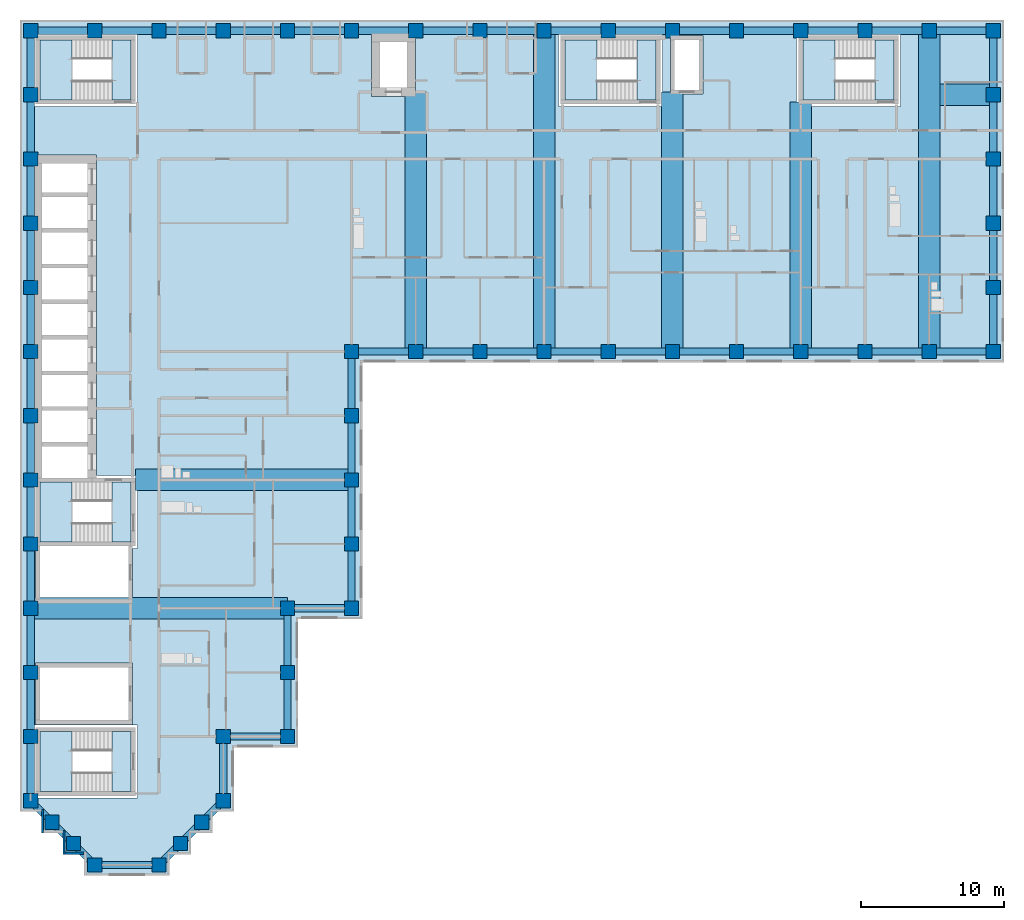
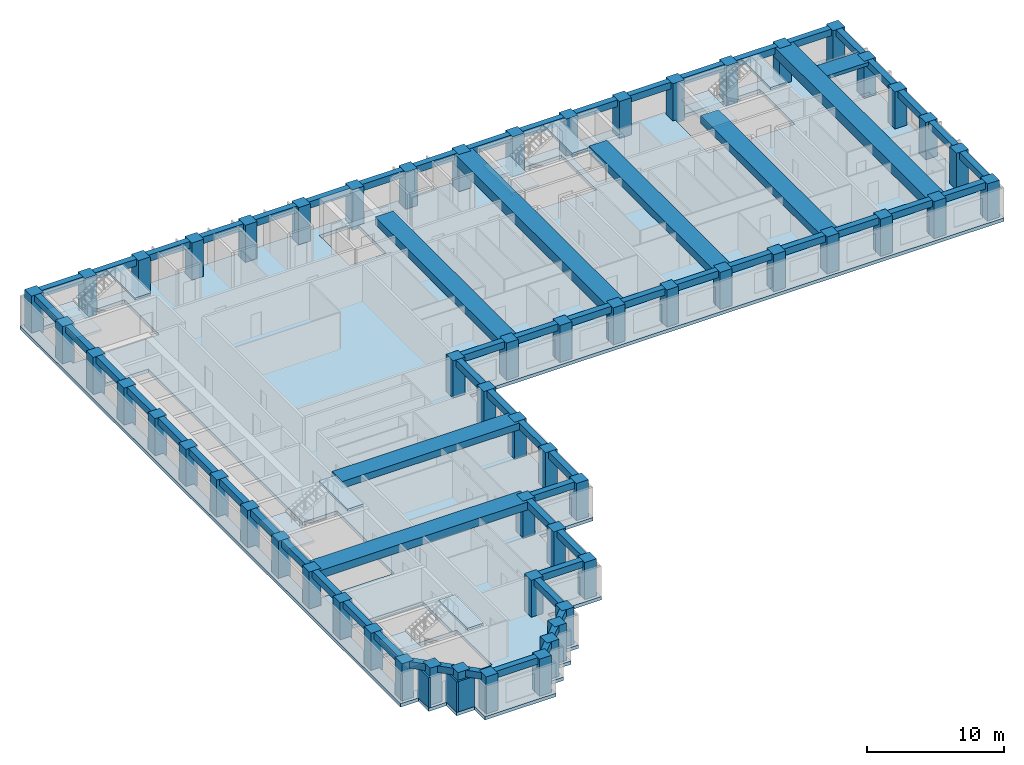
# One storey, part 1 of 11: 66 beams, 58 columns, 11 slabs, 3 walls, 5 elements without a shape of their own.
"""IFC4 building model written with IfcOpenShell, lengths in metres."""

from ifc_helpers import new_model, si_unit, direction, frame, frame_2d, origin, origin_2d, place, context, subcontext, project, spatial, polyline, rectangle, outline, extrude, material, layer, layer_set, material_profile, profile_set, type_object, element, aggregate, save


model = new_model("IFC4")

# Units and contexts
model_context = context("Model", 3, precision=1e-05, world=origin(), true_north=direction((0.0, 1.0)))
body_context = subcontext(model_context, "Body", "Model", "MODEL_VIEW")
ifc_project = project(units=[si_unit("LENGTHUNIT", "METRE"), si_unit("AREAUNIT", "SQUARE_METRE"), si_unit("VOLUMEUNIT", "CUBIC_METRE"), si_unit("PLANEANGLEUNIT", "RADIAN"), si_unit("MASSUNIT", "GRAM", prefix="KILO")], contexts=[model_context])

# Site, building, storey
site_placement = place(None, origin())
site = spatial("IfcSite", under=ifc_project, at=site_placement, CompositionType="ELEMENT")
building_placement = place(site_placement, origin())
building = spatial("IfcBuilding", under=site, at=building_placement, Name="Firuza Court", CompositionType="ELEMENT")
storey_placement = place(building_placement, frame((0.0, 0.0, 134.0)))
storey = spatial("IfcBuildingStorey", under=building, at=storey_placement, Name="L33", CompositionType="ELEMENT", Elevation=134.0)

# Columns
ifc_material_1 = material(Name="Concrete C60/75", Category="concrete")
ifc_material_profile_1 = material_profile(ifc_material_1, rectangle(XDim=1.0, YDim=1.0, at=origin_2d()), Name="RC 1000x1000")
ifc_profile_set_1 = profile_set([ifc_material_profile_1], Name="Concrete C60/75")
column_type = type_object("IfcColumnType", Name="Tube column RC 1000x1000 C60/75", PredefinedType="COLUMN", material=ifc_profile_set_1)
for number, where, z_axis, x_axis, name in (
    (1, (4.5, 0.0, -0.300048828125), (0.0, 0.0, 1.0), (1.0, 0.0, 0.0), "Column C-2D L33"),
    (2, (9.0, 0.0, -0.300048828125), (0.0, 0.0, 1.0), (1.0, 0.0, 0.0), "Column C-3D L33"),
    (3, (3.0, 1.5, -0.300048828125), (0.0, 0.0, 1.0), (1.0, 0.0, 0.0), "Column C-SA1 L33"),
    (4, (10.5, 1.5, -0.300048828125), (0.0, 0.0, 1.0), (1.0, 0.0, 0.0), "Column C-SA2 L33"),
    (5, (1.5, 3.0, -0.300048828125), (0.0, 0.0, 1.0), (1.0, 0.0, 0.0), "Column C-SA3 L33"),
    (6, (12.0, 3.0, -0.300048828125), (0.0, 0.0, 1.0), (1.0, 0.0, 0.0), "Column C-SA4 L33"),
    (7, (0.0, 4.5, -0.300048828125), (0.0, 0.0, 1.0), (1.0, 0.0, 0.0), "Column C-1E L33"),
    (8, (13.5, 4.5, -0.300048828125), (0.0, 0.0, 1.0), (1.0, 0.0, 0.0), "Column C-4E L33"),
    (9, (0.0, 9.0, -0.300048828125), (0.0, 0.0, 1.0), (1.0, 0.0, 0.0), "Column C-1F L33"),
    (10, (13.5, 9.0, -0.300048828125), (0.0, 0.0, 1.0), (1.0, 0.0, 0.0), "Column C-4F L33"),
    (11, (18.0, 9.0, -0.300048828125), (0.0, 0.0, 1.0), (1.0, 0.0, 0.0), "Column C-5F L33"),
    (12, (0.0, 13.5, -0.300048828125), (0.0, 0.0, 1.0), (1.0, 0.0, 0.0), "Column C-1G L33"),
    (13, (18.0, 13.5, -0.300048828125), (0.0, 0.0, 1.0), (1.0, 0.0, 0.0), "Column C-5G L33"),
    (14, (0.0, 18.0, -0.300048828125), (0.0, 0.0, 1.0), (1.0, 0.0, 0.0), "Column C-1H L33"),
    (15, (18.0, 18.0, -0.300048828125), (0.0, 0.0, 1.0), (1.0, 0.0, 0.0), "Column C-5H L33"),
    (16, (22.5, 18.0, -0.300048828125), (0.0, 0.0, 1.0), (1.0, 0.0, 0.0), "Column C-6H L33"),
    (17, (0.0, 22.5, -0.300048828125), (0.0, 0.0, 1.0), (1.0, 0.0, 0.0), "Column C-1J L33"),
    (18, (22.5, 22.5, -0.300048828125), (0.0, 0.0, 1.0), (1.0, 0.0, 0.0), "Column C-6J L33"),
    (19, (0.0, 27.0, -0.300048828125), (0.0, 0.0, 1.0), (1.0, 0.0, 0.0), "Column C-1K L33"),
    (20, (22.5, 27.0, -0.300048828125), (0.0, 0.0, 1.0), (1.0, 0.0, 0.0), "Column C-6K L33"),
    (21, (0.0, 31.5, -0.300048828125), (0.0, 0.0, 1.0), (1.0, 0.0, 0.0), "Column C-1L L33"),
    (22, (22.5, 31.5, -0.300048828125), (0.0, 0.0, 1.0), (1.0, 0.0, 0.0), "Column C-6L L33"),
    (23, (0.0, 36.0, -0.300048828125), (0.0, 0.0, 1.0), (1.0, 0.0, 0.0), "Column C-1M L33"),
    (24, (22.5, 36.0, -0.300048828125), (0.0, 0.0, 1.0), (1.0, 0.0, 0.0), "Column C-6M L33"),
    (25, (27.0, 36.0, -0.300048828125), (0.0, 0.0, 1.0), (1.0, 0.0, 0.0), "Column C-7M L33"),
    (26, (31.5, 36.0, -0.300048828125), (0.0, 0.0, 1.0), (1.0, 0.0, 0.0), "Column C-8M L33"),
    (27, (36.0, 36.0, -0.300048828125), (0.0, 0.0, 1.0), (1.0, 0.0, 0.0), "Column C-9M L33"),
    (28, (40.5, 36.0, -0.300048828125), (0.0, 0.0, 1.0), (1.0, 0.0, 0.0), "Column C-10M L33"),
    (29, (45.0, 36.0, -0.300048828125), (0.0, 0.0, 1.0), (1.0, 0.0, 0.0), "Column C-11M L33"),
    (30, (49.5, 36.0, -0.300048828125), (0.0, 0.0, 1.0), (1.0, 0.0, 0.0), "Column C-12M L33"),
    (31, (54.0, 36.0, -0.300048828125), (0.0, 0.0, 1.0), (1.0, 0.0, 0.0), "Column C-13M L33"),
    (32, (58.5, 36.0, -0.300048828125), (0.0, 0.0, 1.0), (1.0, 0.0, 0.0), "Column C-14M L33"),
    (33, (63.0, 36.0, -0.300048828125), (0.0, 0.0, 1.0), (1.0, 0.0, 0.0), "Column C-15M L33"),
    (34, (67.5, 36.0, -0.300048828125), (0.0, 0.0, 1.0), (1.0, 0.0, 0.0), "Column C-16M L33"),
    (35, (0.0, 40.5, -0.300048828125), (0.0, 0.0, 1.0), (1.0, 0.0, 0.0), "Column C-1N L33"),
    (36, (67.5, 40.5, -0.300048828125), (0.0, 0.0, 1.0), (1.0, 0.0, 0.0), "Column C-16N L33"),
    (37, (0.0, 45.0, -0.300048828125), (0.0, 0.0, 1.0), (1.0, 0.0, 0.0), "Column C-1P L33"),
    (38, (67.5, 45.0, -0.300048828125), (0.0, 0.0, 1.0), (1.0, 0.0, 0.0), "Column C-16P L33"),
    (39, (0.0, 49.5, -0.300048828125), (0.0, 0.0, 1.0), (1.0, 0.0, 0.0), "Column C-1Q L33"),
    (40, (67.5, 49.5, -0.300048828125), (0.0, 0.0, 1.0), (1.0, 0.0, 0.0), "Column C-16Q L33"),
    (41, (0.0, 54.0, -0.300048828125), (0.0, 0.0, 1.0), (1.0, 0.0, 0.0), "Column C-1R L33"),
    (42, (67.5, 54.0, -0.300048828125), (0.0, 0.0, 1.0), (1.0, 0.0, 0.0), "Column C-16R L33"),
    (43, (0.0, 58.5, -0.300048828125), (0.0, 0.0, 1.0), (1.0, 0.0, 0.0), "Column C-1S L33"),
    (44, (4.5, 58.5, -0.300048828125), (0.0, 0.0, 1.0), (1.0, 0.0, 0.0), "Column C-2S L33"),
    (45, (9.0, 58.5, -0.300048828125), (0.0, 0.0, 1.0), (1.0, 0.0, 0.0), "Column C-3S L33"),
    (46, (13.5, 58.5, -0.300048828125), (0.0, 0.0, 1.0), (1.0, 0.0, 0.0), "Column C-4S L33"),
    (47, (18.0, 58.5, -0.300048828125), (0.0, 0.0, 1.0), (1.0, 0.0, 0.0), "Column C-5S L33"),
    (48, (22.5, 58.5, -0.300048828125), (0.0, 0.0, 1.0), (1.0, 0.0, 0.0), "Column C-6S L33"),
    (49, (27.0, 58.5, -0.300048828125), (0.0, 0.0, 1.0), (1.0, 0.0, 0.0), "Column C-7S L33"),
    (50, (31.5, 58.5, -0.300048828125), (0.0, 0.0, 1.0), (1.0, 0.0, 0.0), "Column C-8S L33"),
    (51, (36.0, 58.5, -0.300048828125), (0.0, 0.0, 1.0), (1.0, 0.0, 0.0), "Column C-9S L33"),
    (52, (40.5, 58.5, -0.300048828125), (0.0, 0.0, 1.0), (1.0, 0.0, 0.0), "Column C-10S L33"),
    (53, (45.0, 58.5, -0.300048828125), (0.0, 0.0, 1.0), (1.0, 0.0, 0.0), "Column C-11S L33"),
    (54, (49.5, 58.5, -0.300048828125), (0.0, 0.0, 1.0), (1.0, 0.0, 0.0), "Column C-12S L33"),
    (55, (54.0, 58.5, -0.300048828125), (0.0, 0.0, 1.0), (1.0, 0.0, 0.0), "Column C-13S L33"),
    (56, (58.5, 58.5, -0.300048828125), (0.0, 0.0, 1.0), (1.0, 0.0, 0.0), "Column C-14S L33"),
    (57, (63.0, 58.5, -0.300048828125), (0.0, 0.0, 1.0), (1.0, 0.0, 0.0), "Column C-15S L33"),
    (58, (67.5, 58.5, -0.300048828125), (0.0, 0.0, 1.0), (1.0, 0.0, 0.0), "Column C-16S L33"),
):
    element("IfcColumn", number, at=place(storey_placement, frame(where, z_axis=z_axis, x_axis=x_axis)), inside=storey, type_object=column_type, Name=name, PredefinedType="COLUMN", context=body_context, shape_type="SweptSolid", body=[
        extrude(rectangle(XDim=1.0, YDim=1.0, at=origin_2d()), origin(), (0.0, 0.0, 1.0), 3.60009765625),
    ])

# Beams
ifc_material_2 = material(Name="Concrete C40/50", Category="concrete")
ifc_material_profile_2 = material_profile(ifc_material_2, rectangle(XDim=1.5, YDim=0.300048828125, at=origin_2d()), Name="RC 1500x300")
ifc_profile_set_2 = profile_set([ifc_material_profile_2], Name="Concrete C40/50")
beam_type_1 = type_object("IfcBeamType", Name="Band beam RC 1500x300 C40/50", PredefinedType="BEAM", material=ifc_profile_set_2)
beam_1_placement = place(storey_placement, frame((67.5, 54.0, 3.14990234375), z_axis=(-1.0, 0.0, 0.0), x_axis=(0.0, -1.0, 0.0)))
element("IfcBeam", 59, at=beam_1_placement, inside=storey, type_object=beam_type_1, Name="Band beam FB6 level L34", PredefinedType="BEAM", context=body_context, shape_type="SweptSolid", body=[
    extrude(rectangle(XDim=1.5, YDim=0.300048828125, at=origin_2d()), origin(), (0.0, 0.0, 1.0), 3.75),
])
ifc_material_3 = material(Name="Concrete C40/50", Category="concrete")
ifc_material_profile_3 = material_profile(ifc_material_3, rectangle(XDim=1.5, YDim=0.60009765625, at=origin_2d()), Name="RC 1500x600")
ifc_profile_set_3 = profile_set([ifc_material_profile_3], Name="Concrete C40/50")
beam_type_2 = type_object("IfcBeamType", Name="Band beam RC 1500x600 C40/50", PredefinedType="BEAM", material=ifc_profile_set_3)
beam_2_placement = place(storey_placement, frame((22.5, 27.0, 3.0), z_axis=(-1.0, 0.0, 0.0), x_axis=(0.0, -1.0, 0.0)))
element("IfcBeam", 60, at=beam_2_placement, inside=storey, type_object=beam_type_2, Name="Band beam FB3 level L34", PredefinedType="BEAM", context=body_context, shape_type="SweptSolid", body=[
    extrude(rectangle(XDim=1.5, YDim=0.60009765625, at=origin_2d()), origin(), (0.0, 0.0, 1.0), 15.14990234375),
])
ifc_material_4 = material(Name="Concrete C40/50", Category="concrete")
ifc_material_profile_4 = material_profile(ifc_material_4, rectangle(XDim=1.5, YDim=0.699951171875, at=origin_2d()), Name="RC 1500x700")
ifc_profile_set_4 = profile_set([ifc_material_profile_4], Name="Concrete C40/50")
beam_type_3 = type_object("IfcBeamType", Name="Band beam RC 1500x700 C40/50", PredefinedType="BEAM", material=ifc_profile_set_4)
beam_3_placement = place(storey_placement, frame((0.0, 18.0, 2.949951171875), z_axis=(1.0, 0.0, 0.0), x_axis=(0.0, 1.0, 0.0)))
element("IfcBeam", 61, at=beam_3_placement, inside=storey, type_object=beam_type_3, Name="Band beam FB1 level L34", PredefinedType="BEAM", context=body_context, shape_type="SweptSolid", body=[
    extrude(rectangle(XDim=1.5, YDim=0.699951171875, at=origin_2d()), origin(), (0.0, 0.0, 1.0), 18.0),
])
for number, where, z_axis, x_axis, name in (
    (62, (27.0, 36.0, 2.949951171875), (0.0, 1.0, 0.0), (-1.0, 0.0, 0.0), "Band beam FB1 level L34"),
    (63, (45.0, 36.0, 2.949951171875), (0.0, 1.0, 0.0), (-1.0, 0.0, 0.0), "Band beam FB1 level L34"),
):
    element("IfcBeam", number, at=place(storey_placement, frame(where, z_axis=z_axis, x_axis=x_axis)), inside=storey, type_object=beam_type_3, Name=name, PredefinedType="BEAM", context=body_context, shape_type="SweptSolid", body=[
        extrude(rectangle(XDim=1.5, YDim=0.699951171875, at=origin_2d()), origin(), (0.0, 0.0, 1.0), 18.199951171875),
    ])
beam_4_placement = place(storey_placement, frame((54.0, 36.0, 2.949951171875), z_axis=(0.0, 1.0, 0.0), x_axis=(-1.0, 0.0, 0.0)))
element("IfcBeam", 64, at=beam_4_placement, inside=storey, type_object=beam_type_3, Name="Band beam FB1 level L34", PredefinedType="BEAM", context=body_context, shape_type="SweptSolid", body=[
    extrude(rectangle(XDim=1.5, YDim=0.699951171875, at=origin_2d()), origin(), (0.0, 0.0, 1.0), 17.5),
])
ifc_material_5 = material(Name="Concrete C40/50", Category="concrete")
ifc_material_profile_5 = material_profile(ifc_material_5, rectangle(XDim=1.5, YDim=0.89990234375, at=origin_2d()), Name="RC 1500x900")
ifc_profile_set_5 = profile_set([ifc_material_profile_5], Name="Concrete C40/50")
beam_type_4 = type_object("IfcBeamType", Name="Band beam RC 1500x900 C40/50", PredefinedType="BEAM", material=ifc_profile_set_5)
for number, where, z_axis, x_axis, name in (
    (65, (36.0, 36.0, 2.85009765625), (0.0, 1.0, 0.0), (-1.0, 0.0, 0.0), "Band beam FB2 level L34"),
    (66, (63.0, 36.0, 2.85009765625), (0.0, 1.0, 0.0), (-1.0, 0.0, 0.0), "Band beam FB2 level L34"),
):
    element("IfcBeam", number, at=place(storey_placement, frame(where, z_axis=z_axis, x_axis=x_axis)), inside=storey, type_object=beam_type_4, Name=name, PredefinedType="BEAM", context=body_context, shape_type="SweptSolid", body=[
        extrude(rectangle(XDim=1.5, YDim=0.89990234375, at=origin_2d()), origin(), (0.0, 0.0, 1.0), 22.5),
    ])
ifc_material_6 = material(Name="Concrete C40/50", Category="concrete")
ifc_material_profile_6 = material_profile(ifc_material_6, rectangle(XDim=0.5, YDim=0.60009765625, at=origin_2d()), Name="RC 500x600")
ifc_profile_set_6 = profile_set([ifc_material_profile_6], Name="Concrete C40/50")
beam_type_5 = type_object("IfcBeamType", Name="Spandrel beam RC 500x600 C40/50", PredefinedType="BEAM", material=ifc_profile_set_6)
beam_5_placement = place(storey_placement, frame((0.0, 4.5, 3.0), z_axis=(0.707106781187, -0.707106781187, 0.0), x_axis=(0.707106781187, 0.707106781187, 0.0)))
element("IfcBeam", 67, at=beam_5_placement, inside=storey, type_object=beam_type_5, Name="Spandrel beam SP13 level L34", PredefinedType="BEAM", context=body_context, shape_type="SweptSolid", body=[
    extrude(rectangle(XDim=0.5, YDim=0.60009765625, at=origin_2d()), origin(), (0.0, 0.0, 1.0), 2.121337890625),
])
for number, where, z_axis, x_axis, name in (
    (68, (0.0, 9.0, 3.0), (0.0, -1.0, 0.0), (1.0, 0.0, 0.0), "Spandrel beam SP13 level L34"),
    (69, (0.0, 13.5, 3.0), (0.0, -1.0, 0.0), (1.0, 0.0, 0.0), "Spandrel beam SP13 level L34"),
    (70, (0.0, 18.0, 3.0), (0.0, -1.0, 0.0), (1.0, 0.0, 0.0), "Spandrel beam SP13 level L34"),
    (71, (0.0, 22.5, 3.0), (0.0, -1.0, 0.0), (1.0, 0.0, 0.0), "Spandrel beam SP13 level L34"),
    (72, (0.0, 27.0, 3.0), (0.0, -1.0, 0.0), (1.0, 0.0, 0.0), "Spandrel beam SP13 level L34"),
    (73, (0.0, 31.5, 3.0), (0.0, -1.0, 0.0), (1.0, 0.0, 0.0), "Spandrel beam SP13 level L34"),
    (74, (0.0, 36.0, 3.0), (0.0, -1.0, 0.0), (1.0, 0.0, 0.0), "Spandrel beam SP13 level L34"),
    (75, (0.0, 40.5, 3.0), (0.0, -1.0, 0.0), (1.0, 0.0, 0.0), "Spandrel beam SP13 level L34"),
    (76, (0.0, 45.0, 3.0), (0.0, -1.0, 0.0), (1.0, 0.0, 0.0), "Spandrel beam SP13 level L34"),
    (77, (0.0, 49.5, 3.0), (0.0, -1.0, 0.0), (1.0, 0.0, 0.0), "Spandrel beam SP13 level L34"),
    (78, (0.0, 54.0, 3.0), (0.0, -1.0, 0.0), (1.0, 0.0, 0.0), "Spandrel beam SP13 level L34"),
    (79, (0.0, 58.5, 3.0), (0.0, -1.0, 0.0), (1.0, 0.0, 0.0), "Spandrel beam SP13 level L34"),
):
    element("IfcBeam", number, at=place(storey_placement, frame(where, z_axis=z_axis, x_axis=x_axis)), inside=storey, type_object=beam_type_5, Name=name, PredefinedType="BEAM", context=body_context, shape_type="SweptSolid", body=[
        extrude(rectangle(XDim=0.5, YDim=0.60009765625, at=origin_2d()), origin(), (0.0, 0.0, 1.0), 4.5),
    ])
for number, where, z_axis, x_axis, name in (
    (80, (1.5, 3.0, 3.0), (0.707106781187, -0.707106781187, 0.0), (0.707106781187, 0.707106781187, 0.0), "Spandrel beam SP13 level L34"),
    (81, (3.0, 1.5, 3.0), (0.707106781187, -0.707106781187, 0.0), (0.707106781187, 0.707106781187, 0.0), "Spandrel beam SP13 level L34"),
):
    element("IfcBeam", number, at=place(storey_placement, frame(where, z_axis=z_axis, x_axis=x_axis)), inside=storey, type_object=beam_type_5, Name=name, PredefinedType="BEAM", context=body_context, shape_type="SweptSolid", body=[
        extrude(rectangle(XDim=0.5, YDim=0.60009765625, at=origin_2d()), origin(), (0.0, 0.0, 1.0), 2.121337890625),
    ])
for number, where, z_axis, x_axis, name in (
    (82, (4.5, 0.0, 3.0), (1.0, 0.0, 0.0), (0.0, 1.0, 0.0), "Spandrel beam SP13 level L34"),
    (83, (4.5, 58.5, 3.0), (-1.0, 0.0, 0.0), (0.0, -1.0, 0.0), "Spandrel beam SP13 level L34"),
):
    element("IfcBeam", number, at=place(storey_placement, frame(where, z_axis=z_axis, x_axis=x_axis)), inside=storey, type_object=beam_type_5, Name=name, PredefinedType="BEAM", context=body_context, shape_type="SweptSolid", body=[
        extrude(rectangle(XDim=0.5, YDim=0.60009765625, at=origin_2d()), origin(), (0.0, 0.0, 1.0), 4.5),
    ])
beam_6_placement = place(storey_placement, frame((9.0, 0.0, 3.0), z_axis=(0.707106781187, 0.707106781187, 0.0), x_axis=(-0.707106781187, 0.707106781187, 0.0)))
element("IfcBeam", 84, at=beam_6_placement, inside=storey, type_object=beam_type_5, Name="Spandrel beam SP13 level L34", PredefinedType="BEAM", context=body_context, shape_type="SweptSolid", body=[
    extrude(rectangle(XDim=0.5, YDim=0.60009765625, at=origin_2d()), origin(), (0.0, 0.0, 1.0), 2.121337890625),
])
beam_7_placement = place(storey_placement, frame((9.0, 58.5, 3.0), z_axis=(-1.0, 0.0, 0.0), x_axis=(0.0, -1.0, 0.0)))
element("IfcBeam", 85, at=beam_7_placement, inside=storey, type_object=beam_type_5, Name="Spandrel beam SP13 level L34", PredefinedType="BEAM", context=body_context, shape_type="SweptSolid", body=[
    extrude(rectangle(XDim=0.5, YDim=0.60009765625, at=origin_2d()), origin(), (0.0, 0.0, 1.0), 4.5),
])
for number, where, z_axis, x_axis, name in (
    (86, (10.5, 1.5, 3.0), (0.707106781187, 0.707106781187, 0.0), (-0.707106781187, 0.707106781187, 0.0), "Spandrel beam SP13 level L34"),
    (87, (12.0, 3.0, 3.0), (0.707106781187, 0.707106781187, 0.0), (-0.707106781187, 0.707106781187, 0.0), "Spandrel beam SP13 level L34"),
):
    element("IfcBeam", number, at=place(storey_placement, frame(where, z_axis=z_axis, x_axis=x_axis)), inside=storey, type_object=beam_type_5, Name=name, PredefinedType="BEAM", context=body_context, shape_type="SweptSolid", body=[
        extrude(rectangle(XDim=0.5, YDim=0.60009765625, at=origin_2d()), origin(), (0.0, 0.0, 1.0), 2.121337890625),
    ])
for number, where, z_axis, x_axis, name in (
    (88, (13.5, 4.5, 3.0), (0.0, 1.0, 0.0), (-1.0, 0.0, 0.0), "Spandrel beam SP13 level L34"),
    (89, (13.5, 9.0, 3.0), (1.0, 0.0, 0.0), (0.0, 1.0, 0.0), "Spandrel beam SP13 level L34"),
    (90, (13.5, 58.5, 3.0), (-1.0, 0.0, 0.0), (0.0, -1.0, 0.0), "Spandrel beam SP13 level L34"),
    (91, (18.0, 9.0, 3.0), (0.0, 1.0, 0.0), (-1.0, 0.0, 0.0), "Spandrel beam SP13 level L34"),
    (92, (18.0, 13.5, 3.0), (0.0, 1.0, 0.0), (-1.0, 0.0, 0.0), "Spandrel beam SP13 level L34"),
    (93, (18.0, 18.0, 3.0), (1.0, 0.0, 0.0), (0.0, 1.0, 0.0), "Spandrel beam SP13 level L34"),
    (94, (18.0, 58.5, 3.0), (-1.0, 0.0, 0.0), (0.0, -1.0, 0.0), "Spandrel beam SP13 level L34"),
    (95, (22.5, 18.0, 3.0), (0.0, 1.0, 0.0), (-1.0, 0.0, 0.0), "Spandrel beam SP13 level L34"),
    (96, (22.5, 22.5, 3.0), (0.0, 1.0, 0.0), (-1.0, 0.0, 0.0), "Spandrel beam SP13 level L34"),
    (97, (22.5, 27.0, 3.0), (0.0, 1.0, 0.0), (-1.0, 0.0, 0.0), "Spandrel beam SP13 level L34"),
    (98, (22.5, 31.5, 3.0), (0.0, 1.0, 0.0), (-1.0, 0.0, 0.0), "Spandrel beam SP13 level L34"),
    (99, (22.5, 36.0, 3.0), (1.0, 0.0, 0.0), (0.0, 1.0, 0.0), "Spandrel beam SP13 level L34"),
    (100, (22.5, 58.5, 3.0), (-1.0, 0.0, 0.0), (0.0, -1.0, 0.0), "Spandrel beam SP13 level L34"),
    (101, (27.0, 36.0, 3.0), (1.0, 0.0, 0.0), (0.0, 1.0, 0.0), "Spandrel beam SP13 level L34"),
    (102, (27.0, 58.5, 3.0), (-1.0, 0.0, 0.0), (0.0, -1.0, 0.0), "Spandrel beam SP13 level L34"),
    (103, (31.5, 36.0, 3.0), (1.0, 0.0, 0.0), (0.0, 1.0, 0.0), "Spandrel beam SP13 level L34"),
    (104, (31.5, 58.5, 3.0), (-1.0, 0.0, 0.0), (0.0, -1.0, 0.0), "Spandrel beam SP13 level L34"),
    (105, (36.0, 36.0, 3.0), (1.0, 0.0, 0.0), (0.0, 1.0, 0.0), "Spandrel beam SP13 level L34"),
    (106, (36.0, 58.5, 3.0), (-1.0, 0.0, 0.0), (0.0, -1.0, 0.0), "Spandrel beam SP13 level L34"),
    (107, (40.5, 36.0, 3.0), (1.0, 0.0, 0.0), (0.0, 1.0, 0.0), "Spandrel beam SP13 level L34"),
    (108, (40.5, 58.5, 3.0), (-1.0, 0.0, 0.0), (0.0, -1.0, 0.0), "Spandrel beam SP13 level L34"),
    (109, (45.0, 36.0, 3.0), (1.0, 0.0, 0.0), (0.0, 1.0, 0.0), "Spandrel beam SP13 level L34"),
    (110, (45.0, 58.5, 3.0), (-1.0, 0.0, 0.0), (0.0, -1.0, 0.0), "Spandrel beam SP13 level L34"),
    (111, (49.5, 36.0, 3.0), (1.0, 0.0, 0.0), (0.0, 1.0, 0.0), "Spandrel beam SP13 level L34"),
    (112, (49.5, 58.5, 3.0), (-1.0, 0.0, 0.0), (0.0, -1.0, 0.0), "Spandrel beam SP13 level L34"),
    (113, (54.0, 36.0, 3.0), (1.0, 0.0, 0.0), (0.0, 1.0, 0.0), "Spandrel beam SP13 level L34"),
    (114, (54.0, 58.5, 3.0), (-1.0, 0.0, 0.0), (0.0, -1.0, 0.0), "Spandrel beam SP13 level L34"),
    (115, (58.5, 36.0, 3.0), (1.0, 0.0, 0.0), (0.0, 1.0, 0.0), "Spandrel beam SP13 level L34"),
    (116, (58.5, 58.5, 3.0), (-1.0, 0.0, 0.0), (0.0, -1.0, 0.0), "Spandrel beam SP13 level L34"),
    (117, (63.0, 36.0, 3.0), (1.0, 0.0, 0.0), (0.0, 1.0, 0.0), "Spandrel beam SP13 level L34"),
    (118, (63.0, 58.5, 3.0), (-1.0, 0.0, 0.0), (0.0, -1.0, 0.0), "Spandrel beam SP13 level L34"),
    (119, (67.5, 36.0, 3.0), (0.0, 1.0, 0.0), (-1.0, 0.0, 0.0), "Spandrel beam SP13 level L34"),
    (120, (67.5, 40.5, 3.0), (0.0, 1.0, 0.0), (-1.0, 0.0, 0.0), "Spandrel beam SP13 level L34"),
    (121, (67.5, 45.0, 3.0), (0.0, 1.0, 0.0), (-1.0, 0.0, 0.0), "Spandrel beam SP13 level L34"),
    (122, (67.5, 49.5, 3.0), (0.0, 1.0, 0.0), (-1.0, 0.0, 0.0), "Spandrel beam SP13 level L34"),
    (123, (67.5, 54.0, 3.0), (0.0, 1.0, 0.0), (-1.0, 0.0, 0.0), "Spandrel beam SP13 level L34"),
    (124, (67.5, 58.5, 3.0), (-1.0, 0.0, 0.0), (0.0, -1.0, 0.0), "Spandrel beam SP13 level L34"),
):
    element("IfcBeam", number, at=place(storey_placement, frame(where, z_axis=z_axis, x_axis=x_axis)), inside=storey, type_object=beam_type_5, Name=name, PredefinedType="BEAM", context=body_context, shape_type="SweptSolid", body=[
        extrude(rectangle(XDim=0.5, YDim=0.60009765625, at=origin_2d()), origin(), (0.0, 0.0, 1.0), 4.5),
    ])

# Slab
ifc_material_7 = material(Name="Concrete C40/50", Category="concrete")
ifc_layer_1 = layer(ifc_material_7, 0.300048828125)
ifc_layer_set_1 = layer_set([ifc_layer_1], Name="Concrete C40/50")
slab_type_1 = type_object("IfcSlabType", Name="Floor slab 300 C40/50", PredefinedType="FLOOR", material=ifc_layer_set_1)
slab_1_placement = place(storey_placement, frame((0.0, 0.0, -0.300048828125)))
element("IfcSlab", 125, at=slab_1_placement, inside=storey, type_object=slab_type_1, Name="Floor slab L33", PredefinedType="FLOOR", context=body_context, shape_type="SweptSolid", body=[
    extrude(outline(polyline([(3.75, -0.75), (3.75, 0.75), (2.25, 0.75), (2.25, 2.25), (0.75, 2.25), (0.75, 3.75), (-0.75, 3.75), (-0.75, 59.25), (68.25, 59.25), (68.25, 35.25), (23.25, 35.25), (23.25, 17.25), (18.75, 17.25), (18.75, 8.25), (14.25, 8.25), (14.25, 3.75), (12.75, 3.75), (12.75, 2.25), (11.25, 2.25), (11.25, 0.75), (9.75, 0.75), (9.75, -0.75), (3.75, -0.75)]), holes=[polyline([(0.199951171875, 29.800048828125), (0.199951171875, 29.199951171875), (0.199951171875, 27.300048828125), (0.199951171875, 26.699951171875), (0.199951171875, 22.199951171875), (0.35009765625, 22.199951171875), (0.35009765625, 18.35009765625), (7.14990234375, 18.35009765625), (7.14990234375, 22.199951171875), (7.5, 22.199951171875), (7.5, 27.300048828125), (4.60009765625, 27.300048828125), (4.60009765625, 29.199951171875), (4.60009765625, 29.800048828125), (4.60009765625, 31.699951171875), (4.60009765625, 32.300048828125), (4.60009765625, 34.199951171875), (4.60009765625, 34.800048828125), (4.60009765625, 36.699951171875), (4.60009765625, 37.300048828125), (4.60009765625, 39.199951171875), (4.60009765625, 39.800048828125), (4.60009765625, 41.699951171875), (4.60009765625, 42.300048828125), (4.60009765625, 44.199951171875), (4.60009765625, 44.800048828125), (4.60009765625, 46.699951171875), (4.60009765625, 47.300048828125), (4.60009765625, 49.800048828125), (0.199951171875, 49.800048828125), (0.199951171875, 47.300048828125), (0.199951171875, 46.699951171875), (0.199951171875, 44.800048828125), (0.199951171875, 44.199951171875), (0.199951171875, 42.300048828125), (0.199951171875, 41.699951171875), (0.199951171875, 39.800048828125), (0.199951171875, 39.199951171875), (0.199951171875, 37.300048828125), (0.199951171875, 36.699951171875), (0.199951171875, 34.800048828125), (0.199951171875, 34.199951171875), (0.199951171875, 32.300048828125), (0.199951171875, 31.699951171875), (0.199951171875, 29.800048828125)]), polyline([(7.5, 9.800048828125), (0.199951171875, 9.800048828125), (0.199951171875, 4.699951171875), (7.5, 4.699951171875), (7.5, 9.800048828125)]), polyline([(7.14990234375, 14.14990234375), (0.35009765625, 14.14990234375), (0.35009765625, 9.85009765625), (7.14990234375, 9.85009765625), (7.14990234375, 14.14990234375)]), polyline([(7.5, 58.300048828125), (0.199951171875, 58.300048828125), (0.199951171875, 53.199951171875), (7.5, 53.199951171875), (7.5, 58.300048828125)]), polyline([(44.300048828125, 58.300048828125), (37.0, 58.300048828125), (37.0, 53.199951171875), (44.300048828125, 53.199951171875), (44.300048828125, 58.300048828125)]), polyline([(61.0, 58.300048828125), (53.699951171875, 58.300048828125), (53.699951171875, 53.199951171875), (61.0, 53.199951171875), (61.0, 58.300048828125)]), polyline([(27.0, 53.89990234375), (27.0, 58.300048828125), (23.89990234375, 58.300048828125), (23.89990234375, 53.89990234375), (27.0, 53.89990234375)]), polyline([(47.14990234375, 54.050048828125), (47.14990234375, 58.14990234375), (44.85009765625, 58.14990234375), (44.85009765625, 54.050048828125), (47.14990234375, 54.050048828125)])]), origin(), (0.0, 0.0, 1.0), 0.300048828125),
])

# Stair, slabs
ifc_material_8 = material(Name="Concrete C40/50 precast", Category="concrete")
stair_type = type_object("IfcStairType", Name="Stair 1350 x 3600 2 flights", PredefinedType="HALF_TURN_STAIR", material=ifc_material_8)
stair_1_placement = place(storey_placement, origin())
stair_1 = element("IfcStair", 126, at=stair_1_placement, inside=storey, type_object=stair_type, Name="Stair 1 L33", PredefinedType="HALF_TURN_STAIR")
ifc_material_9 = material(Name="Concrete C40/50 precast", Category="concrete")
ifc_layer_2 = layer(ifc_material_9, 0.199951171875)
ifc_layer_set_2 = layer_set([ifc_layer_2], Name="Concrete C40/50 precast")
slab_type_2 = type_object("IfcSlabType", Name="Stair landing 200", PredefinedType="LANDING", material=ifc_layer_set_2)
slab_2_placement = place(storey_placement, frame((0.0, 0.0, 1.60009765625)))
slab_2 = element("IfcSlab", 127, at=slab_2_placement, type_object=slab_type_2, Name="S1 landing 1", PredefinedType="LANDING", context=body_context, shape_type="SweptSolid", body=[
    extrude(outline(polyline([(39.699951171875, 53.64990234375), (39.699951171875, 57.85009765625), (37.449951171875, 57.85009765625), (37.449951171875, 53.64990234375), (39.699951171875, 53.64990234375)])), origin(), (0.0, 0.0, 1.0), 0.199951171875),
])
slab_3_placement = place(storey_placement, frame((0.0, 0.0, 3.39990234375)))
slab_3 = element("IfcSlab", 128, at=slab_3_placement, type_object=slab_type_2, Name="S1 landing 2", PredefinedType="LANDING", context=body_context, shape_type="SweptSolid", body=[
    extrude(outline(polyline([(43.85009765625, 53.64990234375), (43.85009765625, 57.85009765625), (42.5, 57.85009765625), (42.5, 53.64990234375), (43.85009765625, 53.64990234375)])), origin(), (0.0, 0.0, 1.0), 0.2001953125),
])
aggregate(stair_1, [slab_2, slab_3])

stair_2_placement = place(storey_placement, origin())
stair_2 = element("IfcStair", 129, at=stair_2_placement, inside=storey, type_object=stair_type, Name="Stair 2 L33", PredefinedType="HALF_TURN_STAIR")
slab_4_placement = place(storey_placement, frame((0.0, 0.0, 1.60009765625)))
slab_4 = element("IfcSlab", 130, at=slab_4_placement, type_object=slab_type_2, Name="S2 landing 1", PredefinedType="LANDING", context=body_context, shape_type="SweptSolid", body=[
    extrude(outline(polyline([(2.89990234375, 22.64990234375), (2.89990234375, 26.85009765625), (0.64990234375, 26.85009765625), (0.64990234375, 22.64990234375), (2.89990234375, 22.64990234375)])), origin(), (0.0, 0.0, 1.0), 0.199951171875),
])
slab_5_placement = place(storey_placement, frame((0.0, 0.0, 3.39990234375)))
slab_5 = element("IfcSlab", 131, at=slab_5_placement, type_object=slab_type_2, Name="S2 landing 2", PredefinedType="LANDING", context=body_context, shape_type="SweptSolid", body=[
    extrude(outline(polyline([(7.050048828125, 22.64990234375), (7.050048828125, 26.85009765625), (5.699951171875, 26.85009765625), (5.699951171875, 22.64990234375), (7.050048828125, 22.64990234375)])), origin(), (0.0, 0.0, 1.0), 0.2001953125),
])
aggregate(stair_2, [slab_4, slab_5])

stair_3_placement = place(storey_placement, origin())
stair_3 = element("IfcStair", 132, at=stair_3_placement, inside=storey, type_object=stair_type, Name="Stair 3 L33", PredefinedType="HALF_TURN_STAIR")
slab_6_placement = place(storey_placement, frame((0.0, 0.0, 1.60009765625)))
slab_6 = element("IfcSlab", 133, at=slab_6_placement, type_object=slab_type_2, Name="S3 landing 1", PredefinedType="LANDING", context=body_context, shape_type="SweptSolid", body=[
    extrude(outline(polyline([(2.89990234375, 53.64990234375), (2.89990234375, 57.85009765625), (0.64990234375, 57.85009765625), (0.64990234375, 53.64990234375), (2.89990234375, 53.64990234375)])), origin(), (0.0, 0.0, 1.0), 0.199951171875),
])
slab_7_placement = place(storey_placement, frame((0.0, 0.0, 3.39990234375)))
slab_7 = element("IfcSlab", 134, at=slab_7_placement, type_object=slab_type_2, Name="S3 landing 2", PredefinedType="LANDING", context=body_context, shape_type="SweptSolid", body=[
    extrude(outline(polyline([(7.050048828125, 53.64990234375), (7.050048828125, 57.85009765625), (5.699951171875, 57.85009765625), (5.699951171875, 53.64990234375), (7.050048828125, 53.64990234375)])), origin(), (0.0, 0.0, 1.0), 0.2001953125),
])
aggregate(stair_3, [slab_6, slab_7])

stair_4_placement = place(storey_placement, origin())
stair_4 = element("IfcStair", 135, at=stair_4_placement, inside=storey, type_object=stair_type, Name="Stair 4 L33", PredefinedType="HALF_TURN_STAIR")
slab_8_placement = place(storey_placement, frame((0.0, 0.0, 1.60009765625)))
slab_8 = element("IfcSlab", 136, at=slab_8_placement, type_object=slab_type_2, Name="S4 landing 1", PredefinedType="LANDING", context=body_context, shape_type="SweptSolid", body=[
    extrude(outline(polyline([(56.39990234375, 53.64990234375), (56.39990234375, 57.85009765625), (54.14990234375, 57.85009765625), (54.14990234375, 53.64990234375), (56.39990234375, 53.64990234375)])), origin(), (0.0, 0.0, 1.0), 0.199951171875),
])
slab_9_placement = place(storey_placement, frame((0.0, 0.0, 3.39990234375)))
slab_9 = element("IfcSlab", 137, at=slab_9_placement, type_object=slab_type_2, Name="S4 landing 2", PredefinedType="LANDING", context=body_context, shape_type="SweptSolid", body=[
    extrude(outline(polyline([(60.550048828125, 53.64990234375), (60.550048828125, 57.85009765625), (59.199951171875, 57.85009765625), (59.199951171875, 53.64990234375), (60.550048828125, 53.64990234375)])), origin(), (0.0, 0.0, 1.0), 0.2001953125),
])
aggregate(stair_4, [slab_8, slab_9])

stair_5_placement = place(storey_placement, origin())
stair_5 = element("IfcStair", 138, at=stair_5_placement, inside=storey, type_object=stair_type, Name="Stair 5 L33", PredefinedType="HALF_TURN_STAIR")
slab_10_placement = place(storey_placement, frame((0.0, 0.0, 1.60009765625)))
slab_10 = element("IfcSlab", 139, at=slab_10_placement, type_object=slab_type_2, Name="S5 landing 1", PredefinedType="LANDING", context=body_context, shape_type="SweptSolid", body=[
    extrude(outline(polyline([(2.89990234375, 5.14990234375), (2.89990234375, 9.35009765625), (0.64990234375, 9.35009765625), (0.64990234375, 5.14990234375), (2.89990234375, 5.14990234375)])), origin(), (0.0, 0.0, 1.0), 0.199951171875),
])
slab_11_placement = place(storey_placement, frame((0.0, 0.0, 3.39990234375)))
slab_11 = element("IfcSlab", 140, at=slab_11_placement, type_object=slab_type_2, Name="S5 landing 2", PredefinedType="LANDING", context=body_context, shape_type="SweptSolid", body=[
    extrude(outline(polyline([(7.050048828125, 5.14990234375), (7.050048828125, 9.35009765625), (5.699951171875, 9.35009765625), (5.699951171875, 5.14990234375), (7.050048828125, 5.14990234375)])), origin(), (0.0, 0.0, 1.0), 0.2001953125),
])
aggregate(stair_5, [slab_10, slab_11])

# Walls
ifc_material_10 = material(Name="Ceramic tile", Category="ceramic")
ifc_layer_3 = layer(ifc_material_10, 0.02001953125)
ifc_material_11 = material(Name="Mineral wool insulation", Category="insulation")
ifc_layer_4 = layer(ifc_material_11, 0.050048828125)
ifc_layer_5 = layer(ifc_material_9, 0.080078125)
ifc_layer_set_3 = layer_set([ifc_layer_3, ifc_layer_4, ifc_layer_5], Name="Concrete C40/50 precast")
wall_type = type_object("IfcWallType", Name="Precast cladding wall with turquoise TILE PANEL face 150", PredefinedType="STANDARD", material=ifc_layer_set_3)
for number, where, z_axis, x_axis, name in (
    (141, (0.824951171875, 3.89990234375, 0.0), (0.0, 0.0, 1.0), (0.0, -1.0, 0.0), "Facade wall L33 W"),
    (142, (2.324951171875, 2.39990234375, 0.0), (0.0, 0.0, 1.0), (0.0, -1.0, 0.0), "Facade wall L33 W"),
):
    element("IfcWall", number, at=place(storey_placement, frame(where, z_axis=z_axis, x_axis=x_axis)), inside=storey, type_object=wall_type, Name=name, PredefinedType="STANDARD", context=body_context, shape_type="SweptSolid", body=[
        extrude(rectangle(XDim=1.64990234375, YDim=0.14990234375, at=frame_2d((0.824951171875, 0.0))), origin(), (0.0, 0.0, 1.0), 2.699951171875),
    ])
wall_placement = place(storey_placement, frame((2.39990234375, 0.824951171875, 0.0), z_axis=(0.0, 0.0, 1.0), x_axis=(1.0, 0.0, 0.0)))
element("IfcWall", 143, at=wall_placement, inside=storey, type_object=wall_type, Name="Facade wall L33 S", PredefinedType="STANDARD", context=body_context, shape_type="SweptSolid", body=[
    extrude(rectangle(XDim=1.35009765625, YDim=0.14990234375, at=frame_2d((0.675048828125, 0.0))), origin(), (0.0, 0.0, 1.0), 2.699951171875),
])

save(model, "model.ifc")
